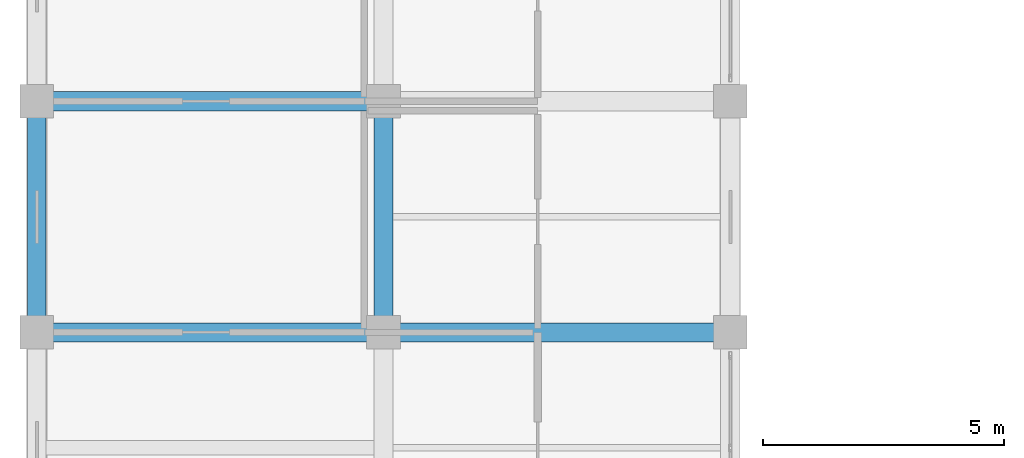
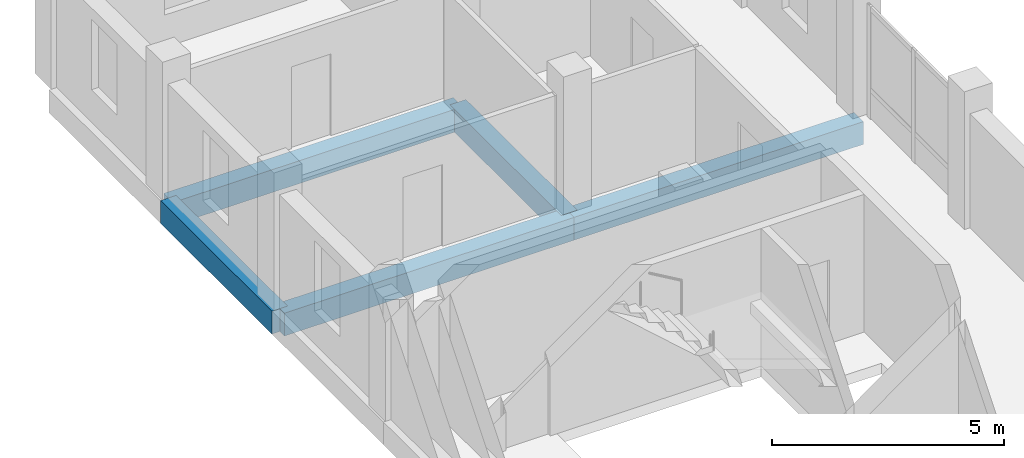
# One storey, part 28 of 128: 5 beams.
"""IFC4 building model written with IfcOpenShell, lengths in metres."""

from ifc_helpers import new_model, si_unit, direction, frame, origin, origin_2d, place, context, subcontext, project, spatial, rectangle, extrude, material, material_profile, profile_set, type_object, element, save


model = new_model("IFC4")

# Units and contexts
model_context = context("Model", 3, precision=1e-05, world=origin(), true_north=direction((0.0, 1.0)))
body_context = subcontext(model_context, "Body", "Model", "MODEL_VIEW")
ifc_project = project(units=[si_unit("LENGTHUNIT", "METRE"), si_unit("AREAUNIT", "SQUARE_METRE"), si_unit("VOLUMEUNIT", "CUBIC_METRE"), si_unit("PLANEANGLEUNIT", "RADIAN"), si_unit("MASSUNIT", "GRAM", prefix="KILO")], contexts=[model_context])

# Site, building, storey
site_placement = place(None, origin())
site = spatial("IfcSite", under=ifc_project, at=site_placement, CompositionType="ELEMENT")
building_placement = place(site_placement, origin())
building = spatial("IfcBuilding", under=site, at=building_placement, Name="Zornivar Specialist Clinic", CompositionType="ELEMENT")
storey_placement = place(building_placement, frame((0.0, 0.0, 4.5)))
storey = spatial("IfcBuildingStorey", under=building, at=storey_placement, Name="L01", CompositionType="ELEMENT", Elevation=4.5)

# Beams
ifc_material_1 = material(Name="Concrete C30/37", Category="concrete")
ifc_material_profile_1 = material_profile(ifc_material_1, rectangle(XDim=0.39990234375, YDim=0.60009765625, at=origin_2d()), Name="RC 400x600")
ifc_profile_set_1 = profile_set([ifc_material_profile_1], Name="Concrete C30/37")
beam_type_1 = type_object("IfcBeamType", Name="BM-RC-400x600", PredefinedType="BEAM", material=ifc_profile_set_1)
for number, where, z_axis, x_axis, name in (
    (1, (0.0, 48.0, -0.580078125), (1.0, 0.0, 0.0), (0.0, 1.0, 0.0), "bm:V2:L01:x:480:0"),
    (2, (7.199951171875, 48.0, -0.580078125), (1.0, 0.0, 0.0), (0.0, 1.0, 0.0), "bm:V2:L01:x:480:1"),
    (3, (0.0, 52.800048828125, -0.580078125), (1.0, 0.0, 0.0), (0.0, 1.0, 0.0), "bm:V2:L01:x:528:0"),
):
    element("IfcBeam", number, at=place(storey_placement, frame(where, z_axis=z_axis, x_axis=x_axis)), inside=storey, type_object=beam_type_1, Name=name, PredefinedType="BEAM", context=body_context, shape_type="SweptSolid", body=[
        extrude(rectangle(XDim=0.39990234375, YDim=0.60009765625, at=origin_2d()), origin(), (0.0, 0.0, 1.0), 7.199951171875),
    ])
beam_1_placement = place(storey_placement, frame((7.199951171875, 48.0, -0.580078125), z_axis=(0.0, 1.0, 0.0), x_axis=(-1.0, 0.0, 0.0)))
element("IfcBeam", 4, at=beam_1_placement, inside=storey, type_object=beam_type_1, Name="bm:V2:L01:y:72:7", PredefinedType="BEAM", context=body_context, shape_type="SweptSolid", body=[
    extrude(rectangle(XDim=0.39990234375, YDim=0.60009765625, at=origin_2d()), origin(), (0.0, 0.0, 1.0), 4.800048828125),
])
ifc_material_2 = material(Name="Concrete C30/37", Category="concrete")
ifc_material_profile_2 = material_profile(ifc_material_2, rectangle(XDim=0.389892578125, YDim=0.60009765625, at=origin_2d()), Name="RC 390x600")
ifc_profile_set_2 = profile_set([ifc_material_profile_2], Name="Concrete C30/37")
beam_type_2 = type_object("IfcBeamType", Name="BM-RC-SPANDREL-390x600", PredefinedType="SPANDREL", material=ifc_profile_set_2)
beam_2_placement = place(storey_placement, frame((0.0, 48.0, -0.580078125), z_axis=(0.0, 1.0, 0.0), x_axis=(-1.0, 0.0, 0.0)))
element("IfcBeam", 5, at=beam_2_placement, inside=storey, type_object=beam_type_2, Name="bm:V2:L01:y:0:7", PredefinedType="SPANDREL", context=body_context, shape_type="SweptSolid", body=[
    extrude(rectangle(XDim=0.389892578125, YDim=0.60009765625, at=origin_2d()), origin(), (0.0, 0.0, 1.0), 4.800048828125),
])

save(model, "model.ifc")
